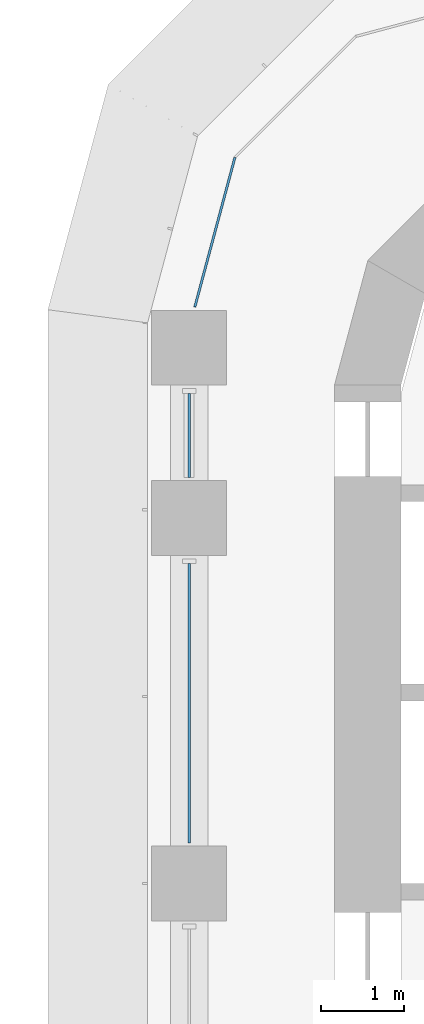
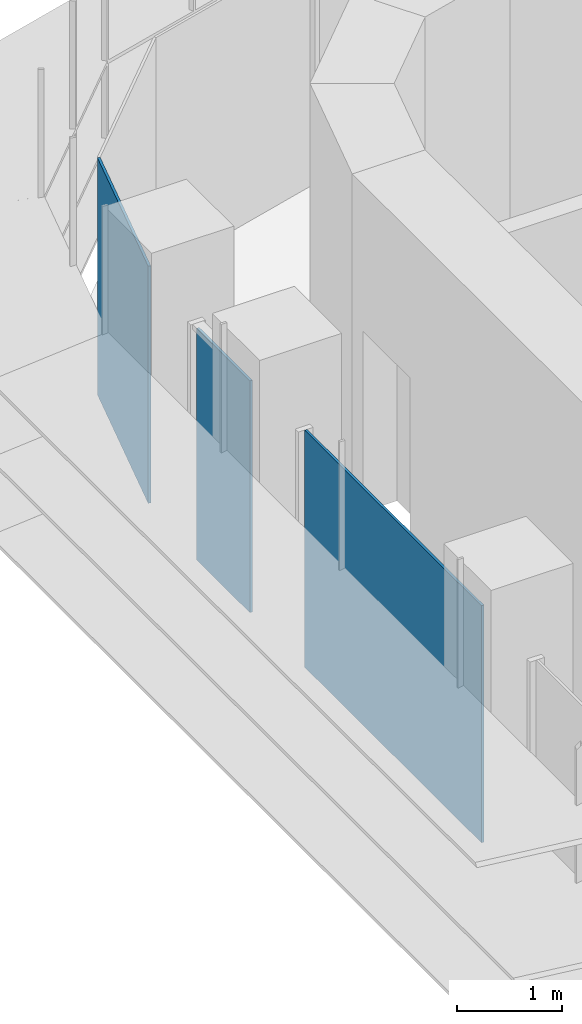
# One storey, part 13 of 21: 3 plates, 2 elements without a shape of their own.
"""IFC4 building model written with IfcOpenShell, lengths in metres."""

from ifc_helpers import new_model, si_unit, direction, frame, origin, place, context, subcontext, project, spatial, polyline, outline, extrude, source, transform, mapped, material, layer, layer_set, type_object, element, aggregate, save


model = new_model("IFC4")

# Units and contexts
model_context = context("Model", 3, precision=1e-05, world=origin(), true_north=direction((0.0, 1.0)))
body_context = subcontext(model_context, "Body", "Model", "MODEL_VIEW")
ifc_project = project(units=[si_unit("LENGTHUNIT", "METRE"), si_unit("AREAUNIT", "SQUARE_METRE"), si_unit("VOLUMEUNIT", "CUBIC_METRE"), si_unit("PLANEANGLEUNIT", "RADIAN"), si_unit("MASSUNIT", "GRAM", prefix="KILO")], contexts=[model_context])

# Site, building, storey
site_placement = place(None, origin())
site = spatial("IfcSite", under=ifc_project, at=site_placement, CompositionType="ELEMENT")
building_placement = place(site_placement, origin())
building = spatial("IfcBuilding", under=site, at=building_placement, Name="Zarbagh Exchange Tower", CompositionType="ELEMENT")
storey_placement = place(building_placement, frame((0.0, 0.0, 120.800048828125)))
storey = spatial("IfcBuildingStorey", under=building, at=storey_placement, Name="L28", CompositionType="ELEMENT", Elevation=120.800048828125)

# Curtain wall, plate
ifc_material_1 = material(Name="Anodised aluminium frame and glazing", Category="aluminium")
curtain_wall_type = type_object("IfcCurtainWallType", Name="CWA Ribbon glazing, lower zones", PredefinedType="NOTDEFINED", material=ifc_material_1)
curtain_wall_1_placement = place(storey_placement, origin())
curtain_wall_1 = element("IfcCurtainWall", 1, at=curtain_wall_1_placement, inside=storey, type_object=curtain_wall_type, Name="CWA56 curtain wall", PredefinedType="NOTDEFINED")
ifc_material_2 = material(Name="Low-e double glazed unit, 6+12+6 mm")
ifc_layer = layer(ifc_material_2, 0.028076171875)
ifc_layer_set = layer_set([ifc_layer], Name="PAA Glazing panel, Low-e double glazed unit, 6+12+6 mm")
plate_type = type_object("IfcPlateType", Name="PAA Glazing panel, Low-e double glazed unit, 6+12+6 mm", PredefinedType="CURTAIN_PANEL", material=ifc_layer_set)
shared_shape_1 = source(origin(), body_context, "Body", "SweptSolid", [
    extrude(outline(polyline([(0.0, -0.013916015625), (3.360107421875, -0.013916015625), (3.360107421875, 0.013916015625), (0.0, 0.013916015625), (0.0, -0.013916015625)])), origin(), (0.0, 0.0, 1.0), 2.75),
])
placement = place(storey_placement, origin())
plate_1 = element("IfcPlate", 2, at=placement, type_object=plate_type, Name="CWA56 glazing panel 2.1", PredefinedType="CURTAIN_PANEL", context=body_context, shape_type="MappedRepresentation", body=[
    mapped(shared_shape_1, transform((-6.25, 24.099853515625, 0.0), x_axis=(0.0, -1.0, 0.0), y_axis=(1.0, 0.0, 0.0), z_axis=(0.0, 0.0, 1.0))),
])

curtain_wall_2_placement = place(storey_placement, origin())
curtain_wall_2 = element("IfcCurtainWall", 3, at=curtain_wall_2_placement, inside=storey, type_object=curtain_wall_type, Name="CWA55 curtain wall", PredefinedType="NOTDEFINED")
shared_shape_2 = source(origin(), body_context, "Body", "SweptSolid", [
    extrude(outline(polyline([(0.0, -0.013916015625), (1.86474609375, -0.013916015625), (1.86474609375, 0.013916015625), (0.0, 0.013916015625), (0.0, -0.013916015625)])), origin(), (0.0, 0.0, 1.0), 2.75),
])
plate_2 = element("IfcPlate", 4, at=placement, type_object=plate_type, Name="CWA55 glazing panel 1.1", PredefinedType="CURTAIN_PANEL", context=body_context, shape_type="MappedRepresentation", body=[
    mapped(shared_shape_2, transform((-5.69873046875, 28.9912109375, 0.0), x_axis=(-0.258824779902, -0.965924289636, 0.0), y_axis=(0.965924289636, -0.258824779902, 0.0), z_axis=(0.0, 0.0, 1.0))),
])
aggregate(curtain_wall_2, [plate_2])

# Plate
shared_shape_3 = source(origin(), body_context, "Body", "SweptSolid", [
    extrude(outline(polyline([(0.0, -0.013916015625), (1.010009765625, -0.013916015625), (1.010009765625, 0.013916015625), (0.0, 0.013916015625), (0.0, -0.013916015625)])), origin(), (0.0, 0.0, 1.0), 2.68994140625),
])
plate_3 = element("IfcPlate", 5, at=placement, type_object=plate_type, Name="CWA56 glazing panel 1.1", PredefinedType="CURTAIN_PANEL", context=body_context, shape_type="MappedRepresentation", body=[
    mapped(shared_shape_3, transform((-6.25, 26.14990234375, 0.0), x_axis=(0.0, -1.0, 0.0), y_axis=(1.0, 0.0, 0.0), z_axis=(0.0, 0.0, 1.0))),
])

aggregate(curtain_wall_1, [plate_3, plate_1])

save(model, "model.ifc")
